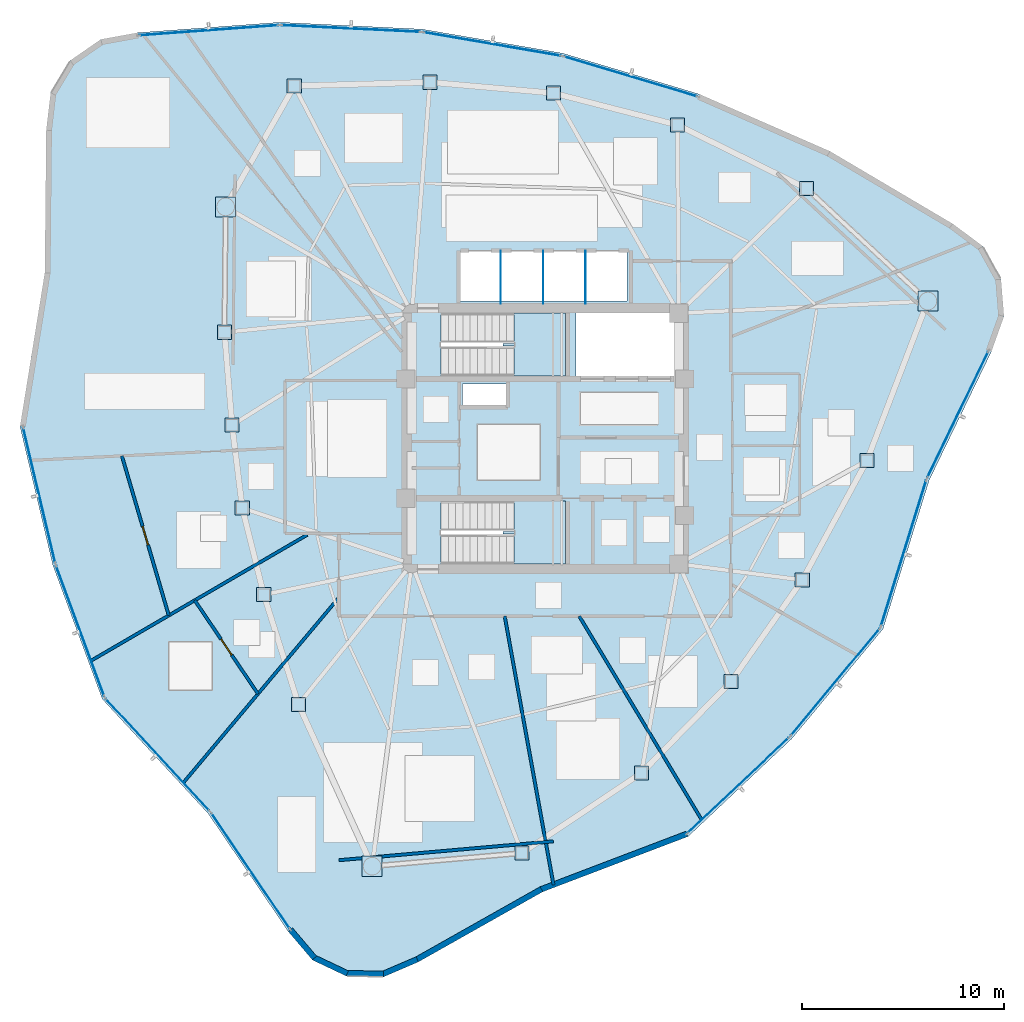
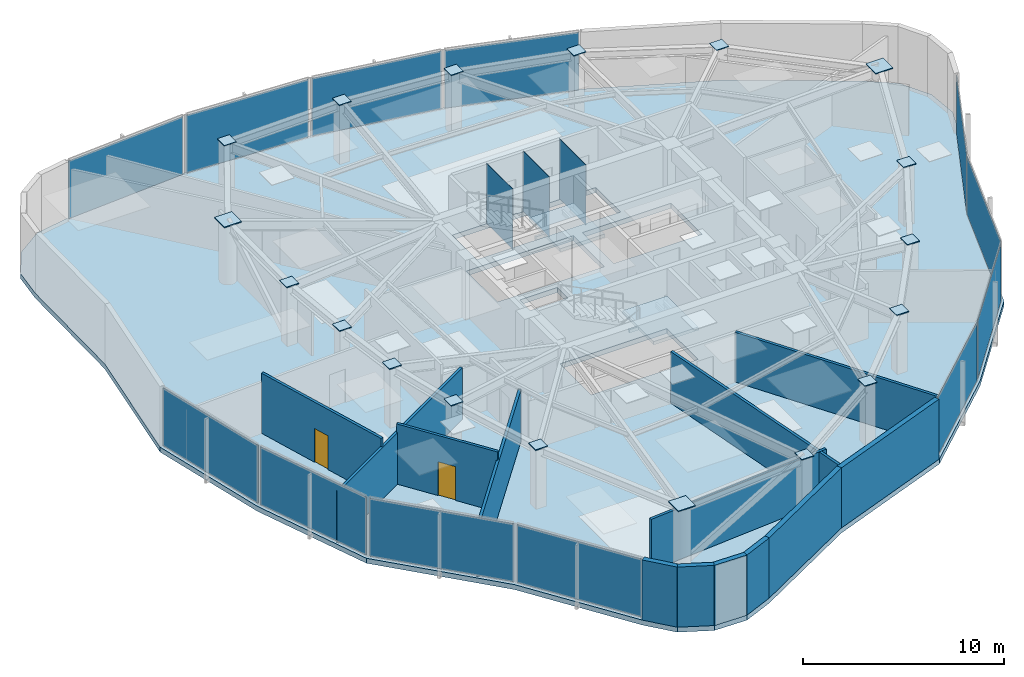
# One storey, part 7 of 13: 33 plates, 13 walls, 3 slabs, 2 doors, 2 openings, 14 elements without a shape of their own.
"""IFC4 building model written with IfcOpenShell, lengths in metres."""

from ifc_helpers import new_model, si_unit, direction, frame, frame_2d, origin, origin_2d, place, context, subcontext, project, spatial, polyline, rectangle, outline, extrude, source, transform, mapped, material, layer, layer_set, type_object, type_shapes, element, fill, aggregate, save


model = new_model("IFC4")

# Units and contexts
model_context = context("Model", 3, precision=1e-05, world=origin(), true_north=direction((0.0, 1.0)))
body_context = subcontext(model_context, "Body", "Model", "MODEL_VIEW")
ifc_project = project(units=[si_unit("LENGTHUNIT", "METRE"), si_unit("AREAUNIT", "SQUARE_METRE"), si_unit("VOLUMEUNIT", "CUBIC_METRE"), si_unit("PLANEANGLEUNIT", "RADIAN"), si_unit("MASSUNIT", "GRAM", prefix="KILO")], contexts=[model_context])

# Site, building, storey
site_placement = place(None, origin())
site = spatial("IfcSite", under=ifc_project, at=site_placement, CompositionType="ELEMENT")
building_placement = place(site_placement, origin())
building = spatial("IfcBuilding", under=site, at=building_placement, Name="Tavelor Broadcast Tower", CompositionType="ELEMENT")
storey_placement = place(building_placement, frame((0.0, 0.0, 237.949951171875)))
storey = spatial("IfcBuildingStorey", under=building, at=storey_placement, Name="L56", CompositionType="ELEMENT", Elevation=237.949951171875)

# Stair, slab
ifc_material_1 = material(Name="Concrete C40/50", Category="concrete")
stair_type = type_object("IfcStairType", Name="Reinforced Concrete Protected Dogleg Stair 1450 mm", PredefinedType="HALF_TURN_STAIR", material=ifc_material_1)
stair_1_placement = place(storey_placement, origin())
stair_1 = element("IfcStair", 1, at=stair_1_placement, inside=storey, type_object=stair_type, Name="L56 Protected Core Exit Stair ST1", PredefinedType="HALF_TURN_STAIR")
ifc_layer_1 = layer(ifc_material_1, 0.199951171875)
ifc_layer_set_1 = layer_set([ifc_layer_1], Name="Concrete C40/50")
slab_type_1 = type_object("IfcSlabType", Name="Reinforced Concrete Stair Half-Landing Slab 200 mm", PredefinedType="LANDING", material=ifc_layer_set_1)
slab_1_placement = place(storey_placement, frame((0.0, 0.0, 1.775146484375)))
slab_1 = element("IfcSlab", 2, at=slab_1_placement, type_object=slab_type_1, Name="ST1 landing 1", PredefinedType="LANDING", context=body_context, shape_type="SweptSolid", body=[
    extrude(outline(polyline([(48.445068359375, 49.590087890625), (48.445068359375, 48.094970703125), (51.0048828125, 48.094970703125), (51.0048828125, 51.205078125), (48.445068359375, 51.205078125), (48.445068359375, 49.7099609375), (47.905029296875, 49.7099609375), (47.905029296875, 49.590087890625), (48.445068359375, 49.590087890625)])), origin(), (0.0, 0.0, 1.0), 0.199951171875),
])
aggregate(stair_1, [slab_1])

stair_2_placement = place(storey_placement, origin())
stair_2 = element("IfcStair", 3, at=stair_2_placement, inside=storey, type_object=stair_type, Name="L56 Protected Core Exit Stair ST2", PredefinedType="HALF_TURN_STAIR")
slab_2_placement = place(storey_placement, frame((0.0, 0.0, 1.775146484375)))
slab_2 = element("IfcSlab", 4, at=slab_2_placement, type_object=slab_type_1, Name="ST2 landing 1", PredefinedType="LANDING", context=body_context, shape_type="SweptSolid", body=[
    extrude(outline(polyline([(48.445068359375, 40.2900390625), (48.445068359375, 38.794921875), (51.0048828125, 38.794921875), (51.0048828125, 41.905029296875), (48.445068359375, 41.905029296875), (48.445068359375, 40.409912109375), (47.905029296875, 40.409912109375), (47.905029296875, 40.2900390625), (48.445068359375, 40.2900390625)])), origin(), (0.0, 0.0, 1.0), 0.199951171875),
])
aggregate(stair_2, [slab_2])

# Slab
ifc_layer_2 = layer(ifc_material_1, 0.300048828125)
ifc_layer_set_2 = layer_set([ifc_layer_2], Name="Concrete C40/50")
slab_type_2 = type_object("IfcSlabType", Name="Tower Composite Floor Slab 300 mm", PredefinedType="FLOOR", material=ifc_layer_set_2)
slab_3_placement = place(storey_placement, frame((0.0, 0.0, -0.300048828125)))
element("IfcSlab", 5, at=slab_3_placement, inside=storey, type_object=slab_type_2, Name="L56 Structural Floor Slab", PredefinedType="FLOOR", context=body_context, shape_type="SweptSolid", body=[
    extrude(outline(polyline([(29.844482421875, 65.074951171875), (28.022216796875, 64.7421875), (26.498291015625, 63.68896484375), (25.54296875, 62.101806640625), (25.3251953125, 60.26220703125), (25.254150390625, 53.21142578125), (24.026611328125, 45.596923828125), (25.651611328125, 38.735595703125), (28.09521484375, 32.12158203125), (33.331298828125, 26.45849609375), (37.292236328125, 20.625), (38.49169921875, 19.21337890625), (40.165771484375, 18.420166015625), (42.017822265625, 18.38623046875), (43.719970703125, 19.117431640625), (49.861572265625, 22.58154296875), (57.069580078125, 25.32568359375), (62.19921875, 30.16357421875), (66.70556640625, 35.5869140625), (68.99169921875, 42.952880859375), (72.06298828125, 49.2998046875), (72.68603515625, 51.04443359375), (72.535888671875, 52.890869140625), (71.63916015625, 54.511962890625), (70.15478515625, 55.620361328125), (64.084228515625, 59.20703125), (57.6240234375, 62.032958984375), (50.86962890625, 64.05615234375), (43.919921875, 65.247314453125), (36.876953125, 65.58837890625), (29.844482421875, 65.074951171875)]), holes=[polyline([(50.99609375, 41.89599609375), (50.99609375, 38.803955078125), (44.85400390625, 38.803955078125), (44.85400390625, 41.89599609375), (50.99609375, 41.89599609375)]), polyline([(48.050048828125, 47.699951171875), (48.050048828125, 46.64990234375), (45.89990234375, 46.64990234375), (45.89990234375, 47.699951171875), (48.050048828125, 47.699951171875)]), polyline([(50.99609375, 51.196044921875), (50.99609375, 48.10400390625), (44.85400390625, 48.10400390625), (44.85400390625, 51.196044921875), (50.99609375, 51.196044921875)]), polyline([(56.60009765625, 48.10009765625), (51.52001953125, 48.10009765625), (51.52001953125, 51.199951171875), (56.60009765625, 51.199951171875), (56.60009765625, 48.10009765625)]), polyline([(54.050048828125, 51.800048828125), (45.800048828125, 51.800048828125), (45.800048828125, 54.25), (54.050048828125, 54.25), (54.050048828125, 51.800048828125)])]), origin(), (0.0, 0.0, 1.0), 0.300048828125),
])

# Plates
ifc_material_2 = material(Name="Steel S460", Category="steel")
ifc_layer_3 = layer(ifc_material_2, 0.050048828125)
ifc_layer_set_3 = layer_set([ifc_layer_3], Name="Steel S460")
plate_type_1 = type_object("IfcPlateType", Name="Tube Hollow-End Cap Plate KN05 700x700x50", PredefinedType="USERDEFINED", material=ifc_layer_set_3)
shared_shape_1 = source(origin(), body_context, "Body", "SweptSolid", [
    extrude(rectangle(XDim=0.699951171875, YDim=0.699951171875, at=origin_2d()), origin(), (0.0, 0.0, 1.0), 0.054931640625),
])
for number, where, z_axis, x_axis, name in (
    (6, (34.13720703125, 50.255859375, 3.62255859375), (0.0, 0.0, 1.0), (1.0, 0.0, 0.0), "L56 Hollow End Cap Plate KN05 #1652"),
    (7, (34.513671875, 45.66455078125, 3.62255859375), (0.0, 0.0, 1.0), (1.0, 0.0, 0.0), "L56 Hollow End Cap Plate KN05 #1653"),
    (8, (35.018798828125, 41.56396484375, 3.62255859375), (0.0, 0.0, 1.0), (1.0, 0.0, 0.0), "L56 Hollow End Cap Plate KN05 #1654"),
    (9, (36.08349609375, 37.2822265625, 3.62255859375), (0.0, 0.0, 1.0), (1.0, 0.0, 0.0), "L56 Hollow End Cap Plate KN05 #1655"),
    (10, (37.797119140625, 31.853271484375, 3.62255859375), (0.0, 0.0, 1.0), (1.0, 0.0, 0.0), "L56 Hollow End Cap Plate KN05 #1656"),
    (11, (48.843994140625, 24.5048828125, 3.62255859375), (0.0, 0.0, 1.0), (1.0, 0.0, 0.0), "L56 Hollow End Cap Plate KN05 #1658"),
    (12, (54.754150390625, 28.461669921875, 3.62255859375), (0.0, 0.0, 1.0), (1.0, 0.0, 0.0), "L56 Hollow End Cap Plate KN05 #1659"),
    (13, (59.1923828125, 32.987060546875, 3.62255859375), (0.0, 0.0, 1.0), (1.0, 0.0, 0.0), "L56 Hollow End Cap Plate KN05 #1660"),
    (14, (62.7109375, 38.009033203125, 3.62255859375), (0.0, 0.0, 1.0), (1.0, 0.0, 0.0), "L56 Hollow End Cap Plate KN05 #1661"),
    (15, (65.9072265625, 43.909423828125, 3.62255859375), (0.0, 0.0, 1.0), (1.0, 0.0, 0.0), "L56 Hollow End Cap Plate KN05 #1662"),
    (16, (62.92724609375, 57.364013671875, 3.62255859375), (0.0, 0.0, 1.0), (1.0, 0.0, 0.0), "L56 Hollow End Cap Plate KN05 #1664"),
    (17, (56.545654296875, 60.504150390625, 3.62255859375), (0.0, 0.0, 1.0), (1.0, 0.0, 0.0), "L56 Hollow End Cap Plate KN05 #1665"),
    (18, (50.4072265625, 62.0849609375, 3.62255859375), (0.0, 0.0, 1.0), (1.0, 0.0, 0.0), "L56 Hollow End Cap Plate KN05 #1666"),
    (19, (44.298828125, 62.621337890625, 3.62255859375), (0.0, 0.0, 1.0), (1.0, 0.0, 0.0), "L56 Hollow End Cap Plate KN05 #1667"),
    (20, (37.5908203125, 62.439208984375, 3.62255859375), (0.0, 0.0, 1.0), (1.0, 0.0, 0.0), "L56 Hollow End Cap Plate KN05 #1668"),
):
    element("IfcPlate", number, at=place(storey_placement, frame(where, z_axis=z_axis, x_axis=x_axis)), inside=storey, type_object=plate_type_1, Name=name, ObjectType="CAP PLATE", PredefinedType="USERDEFINED", context=body_context, shape_type="MappedRepresentation", body=[
        mapped(shared_shape_1, transform((0.0, 0.0, 0.0), scale=1.0)),
    ])
shared_shape_2 = source(origin(), body_context, "Body", "SweptSolid", [
    extrude(rectangle(XDim=0.993896484375, YDim=0.993896484375, at=origin_2d()), origin(), (0.0, 0.0, 1.0), 0.054931640625),
])
type_shapes(plate_type_1, [shared_shape_1, shared_shape_2])
for number, where, z_axis, x_axis, name in (
    (21, (34.1962890625, 56.4599609375, 3.62255859375), (0.0, 0.0, 1.0), (1.0, 0.0, 0.0), "L56 Hollow End Cap Plate KN05 #1651"),
    (22, (41.440185546875, 23.853759765625, 3.62255859375), (0.0, 0.0, 1.0), (1.0, 0.0, 0.0), "L56 Hollow End Cap Plate KN05 #1657"),
    (23, (68.919677734375, 51.799072265625, 3.62255859375), (0.0, 0.0, 1.0), (1.0, 0.0, 0.0), "L56 Hollow End Cap Plate KN05 #1663"),
):
    element("IfcPlate", number, at=place(storey_placement, frame(where, z_axis=z_axis, x_axis=x_axis)), inside=storey, type_object=plate_type_1, Name=name, ObjectType="CAP PLATE", PredefinedType="USERDEFINED", context=body_context, shape_type="MappedRepresentation", body=[
        mapped(shared_shape_2, transform((0.0, 0.0, 0.0), scale=1.0)),
    ])
ifc_material_3 = material(Name="Steel S355", Category="steel")
ifc_layer_4 = layer(ifc_material_3, 0.011962890625)
ifc_layer_set_4 = layer_set([ifc_layer_4], Name="Steel S355")
plate_type_2 = type_object("IfcPlateType", Name="Hoistway Steel Separator Screen 12 mm", PredefinedType="SHEET", material=ifc_layer_set_4)
shared_shape_3 = source(origin(), body_context, "Body", "SweptSolid", [
    extrude(rectangle(XDim=0.02001953125, YDim=2.6201171875, at=origin_2d()), origin(), (0.0, 0.0, 1.0), 3.64990234375),
])
type_shapes(plate_type_2, [shared_shape_3])
for number, where, z_axis, x_axis, name in (
    (24, (47.800048828125, 52.989990234375, 0.0), (0.0, 0.0, 1.0), (1.0, 0.0, 0.0), "L56 High-Rise Hoistway Separator Screen 1"),
    (25, (49.89990234375, 52.989990234375, 0.0), (0.0, 0.0, 1.0), (1.0, 0.0, 0.0), "L56 High-Rise Hoistway Separator Screen 2"),
    (26, (52.0, 52.989990234375, 0.0), (0.0, 0.0, 1.0), (1.0, 0.0, 0.0), "L56 High-Rise Hoistway Separator Screen 3"),
):
    element("IfcPlate", number, at=place(storey_placement, frame(where, z_axis=z_axis, x_axis=x_axis)), inside=storey, type_object=plate_type_2, Name=name, PredefinedType="SHEET", context=body_context, shape_type="MappedRepresentation", body=[
        mapped(shared_shape_3, transform((0.0, 0.0, 0.0), scale=1.0)),
    ])

# Curtain wall, plate
ifc_material_4 = material(Name="Architectural Anodized Aluminium", Category="aluminium")
ifc_layer_5 = layer(ifc_material_4, 0.199951171875)
ifc_layer_set_5 = layer_set([ifc_layer_5], Name="Architectural Anodized Aluminium")
curtain_wall_type = type_object("IfcCurtainWallType", Name="Tower High-Zone Triple-Glazed Curtain Wall CW04", PredefinedType="NOTDEFINED", material=ifc_layer_set_5)
curtain_wall_1_placement = place(storey_placement, origin())
curtain_wall_1 = element("IfcCurtainWall", 27, at=curtain_wall_1_placement, inside=storey, type_object=curtain_wall_type, Name="L56 Curtain Wall CW04 Run 601", PredefinedType="NOTDEFINED")
ifc_material_5 = material(Name="High-Altitude Triple Glazing 36 mm", Category="glass")
ifc_layer_6 = layer(ifc_material_5, 0.035888671875)
ifc_layer_set_6 = layer_set([ifc_layer_6], Name="High-Altitude Triple Glazing 36 mm")
plate_type_3 = type_object("IfcPlateType", Name="CW04 Insulated Vision Glazing Panel 36 mm", PredefinedType="CURTAIN_PANEL", material=ifc_layer_set_6)
shared_shape_4 = source(origin(), body_context, "Body", "SweptSolid", [
    extrude(rectangle(XDim=6.85986328125, YDim=0.035888671875, at=origin_2d()), origin(), (0.0, 0.0, 1.0), 3.510009765625),
])
plate_1_placement = place(storey_placement, frame((24.975830078125, 42.196533203125, 0.06982421875), z_axis=(0.0, 0.0, 1.0), x_axis=(0.230462824062, -0.973081130598, 0.0)))
plate_1 = element("IfcPlate", 28, at=plate_1_placement, type_object=plate_type_3, Name="CW04 panel 1.1", PredefinedType="CURTAIN_PANEL", context=body_context, shape_type="MappedRepresentation", body=[
    mapped(shared_shape_4, transform((0.0, 0.0, 0.0), scale=1.0)),
])
aggregate(curtain_wall_1, [plate_1])

curtain_wall_2_placement = place(storey_placement, origin())
curtain_wall_2 = element("IfcCurtainWall", 29, at=curtain_wall_2_placement, inside=storey, type_object=curtain_wall_type, Name="L56 Curtain Wall CW04 Run 602", PredefinedType="NOTDEFINED")
shared_shape_5 = source(origin(), body_context, "Body", "SweptSolid", [
    extrude(rectangle(XDim=6.8447265625, YDim=0.035888671875, at=origin_2d()), origin(), (0.0, 0.0, 1.0), 3.510009765625),
])
plate_2_placement = place(storey_placement, frame((27.00146484375, 35.486083984375, 0.06982421875), z_axis=(0.0, 0.0, 1.0), x_axis=(0.346525268588, -0.938040637835, 0.0)))
plate_2 = element("IfcPlate", 30, at=plate_2_placement, type_object=plate_type_3, Name="CW04 panel 1.1", PredefinedType="CURTAIN_PANEL", context=body_context, shape_type="MappedRepresentation", body=[
    mapped(shared_shape_5, transform((0.0, 0.0, 0.0), scale=1.0)),
])
aggregate(curtain_wall_2, [plate_2])

curtain_wall_3_placement = place(storey_placement, origin())
curtain_wall_3 = element("IfcCurtainWall", 31, at=curtain_wall_3_placement, inside=storey, type_object=curtain_wall_type, Name="L56 Curtain Wall CW04 Run 606", PredefinedType="NOTDEFINED")
plate_3_placement = place(storey_placement, frame((64.33837890625, 32.957275390625, 0.06982421875), z_axis=(0.0, 0.0, 1.0), x_axis=(0.639099444652, 0.769124112121, 0.0)))
plate_3 = element("IfcPlate", 32, at=plate_3_placement, type_object=plate_type_3, Name="CW04 panel 1.1", PredefinedType="CURTAIN_PANEL", context=body_context, shape_type="MappedRepresentation", body=[
    mapped(shared_shape_5, transform((0.0, 0.0, 0.0), scale=1.0)),
])
aggregate(curtain_wall_3, [plate_3])

curtain_wall_4_placement = place(storey_placement, origin())
curtain_wall_4 = element("IfcCurtainWall", 33, at=curtain_wall_4_placement, inside=storey, type_object=curtain_wall_type, Name="L56 Curtain Wall CW04 Run 603", PredefinedType="NOTDEFINED")
shared_shape_6 = source(origin(), body_context, "Body", "SweptSolid", [
    extrude(rectangle(XDim=7.525390625, YDim=0.035888671875, at=origin_2d()), origin(), (0.0, 0.0, 1.0), 3.510009765625),
])
plate_4_placement = place(storey_placement, frame((30.8291015625, 29.37109375, 0.06982421875), z_axis=(0.0, 0.0, 1.0), x_axis=(0.678902418643, -0.734228510724, 0.0)))
plate_4 = element("IfcPlate", 34, at=plate_4_placement, type_object=plate_type_3, Name="CW04 panel 1.1", PredefinedType="CURTAIN_PANEL", context=body_context, shape_type="MappedRepresentation", body=[
    mapped(shared_shape_6, transform((0.0, 0.0, 0.0), scale=1.0)),
])
aggregate(curtain_wall_4, [plate_4])

curtain_wall_5_placement = place(storey_placement, origin())
curtain_wall_5 = element("IfcCurtainWall", 35, at=curtain_wall_5_placement, inside=storey, type_object=curtain_wall_type, Name="L56 Curtain Wall CW04 Run 607", PredefinedType="NOTDEFINED")
plate_5_placement = place(storey_placement, frame((67.720458984375, 39.32958984375, 0.06982421875), z_axis=(0.0, 0.0, 1.0), x_axis=(0.296410704103, 0.955060571112, 0.0)))
plate_5 = element("IfcPlate", 36, at=plate_5_placement, type_object=plate_type_3, Name="CW04 panel 1.1", PredefinedType="CURTAIN_PANEL", context=body_context, shape_type="MappedRepresentation", body=[
    mapped(shared_shape_6, transform((0.0, 0.0, 0.0), scale=1.0)),
])
aggregate(curtain_wall_5, [plate_5])

curtain_wall_6_placement = place(storey_placement, origin())
curtain_wall_6 = element("IfcCurtainWall", 37, at=curtain_wall_6_placement, inside=storey, type_object=curtain_wall_type, Name="L56 Curtain Wall CW04 Run 604", PredefinedType="NOTDEFINED")
shared_shape_7 = source(origin(), body_context, "Body", "SweptSolid", [
    extrude(rectangle(XDim=6.899169921875, YDim=0.035888671875, at=origin_2d()), origin(), (0.0, 0.0, 1.0), 3.510009765625),
])
plate_6_placement = place(storey_placement, frame((35.4267578125, 23.621826171875, 0.06982421875), z_axis=(0.0, 0.0, 1.0), x_axis=(0.561748398102, -0.827308127139, 0.0)))
plate_6 = element("IfcPlate", 38, at=plate_6_placement, type_object=plate_type_3, Name="CW04 panel 1.1", PredefinedType="CURTAIN_PANEL", context=body_context, shape_type="MappedRepresentation", body=[
    mapped(shared_shape_7, transform((0.0, 0.0, 0.0), scale=1.0)),
])
aggregate(curtain_wall_6, [plate_6])

curtain_wall_7_placement = place(storey_placement, origin())
curtain_wall_7 = element("IfcCurtainWall", 39, at=curtain_wall_7_placement, inside=storey, type_object=curtain_wall_type, Name="L56 Curtain Wall CW04 Run 608", PredefinedType="NOTDEFINED")
plate_7_placement = place(storey_placement, frame((70.400634765625, 46.18603515625, 0.06982421875), z_axis=(0.0, 0.0, 1.0), x_axis=(0.435606600791, 0.900137150299, 0.0)))
plate_7 = element("IfcPlate", 40, at=plate_7_placement, type_object=plate_type_3, Name="CW04 panel 1.1", PredefinedType="CURTAIN_PANEL", context=body_context, shape_type="MappedRepresentation", body=[
    mapped(shared_shape_7, transform((0.0, 0.0, 0.0), scale=1.0)),
])
aggregate(curtain_wall_7, [plate_7])

curtain_wall_8_placement = place(storey_placement, origin())
curtain_wall_8 = element("IfcCurtainWall", 41, at=curtain_wall_8_placement, inside=storey, type_object=curtain_wall_type, Name="L56 Curtain Wall CW04 Run 605", PredefinedType="NOTDEFINED")
shared_shape_8 = source(origin(), body_context, "Body", "SweptSolid", [
    extrude(rectangle(XDim=6.859619140625, YDim=0.035888671875, at=origin_2d()), origin(), (0.0, 0.0, 1.0), 3.510009765625),
])
plate_8_placement = place(storey_placement, frame((59.5400390625, 27.847900390625, 0.06982421875), z_axis=(0.0, 0.0, 1.0), x_axis=(0.727469801864, 0.686139699606, 0.0)))
plate_8 = element("IfcPlate", 42, at=plate_8_placement, type_object=plate_type_3, Name="CW04 panel 1.1", PredefinedType="CURTAIN_PANEL", context=body_context, shape_type="MappedRepresentation", body=[
    mapped(shared_shape_8, transform((0.0, 0.0, 0.0), scale=1.0)),
])
aggregate(curtain_wall_8, [plate_8])

curtain_wall_9_placement = place(storey_placement, origin())
curtain_wall_9 = element("IfcCurtainWall", 43, at=curtain_wall_9_placement, inside=storey, type_object=curtain_wall_type, Name="L56 Curtain Wall CW04 Run 609", PredefinedType="NOTDEFINED")
shared_shape_9 = source(origin(), body_context, "Body", "SweptSolid", [
    extrude(rectangle(XDim=6.879150390625, YDim=0.035888671875, at=origin_2d()), origin(), (0.0, 0.0, 1.0), 3.510009765625),
])
plate_9_placement = place(storey_placement, frame((54.2138671875, 62.908203125, 0.06982421875), z_axis=(0.0, 0.0, 1.0), x_axis=(-0.957946580849, 0.286946594752, 0.0)))
plate_9 = element("IfcPlate", 44, at=plate_9_placement, type_object=plate_type_3, Name="CW04 panel 1.1", PredefinedType="CURTAIN_PANEL", context=body_context, shape_type="MappedRepresentation", body=[
    mapped(shared_shape_9, transform((0.0, 0.0, 0.0), scale=1.0)),
])
aggregate(curtain_wall_9, [plate_9])

curtain_wall_10_placement = place(storey_placement, origin())
curtain_wall_10 = element("IfcCurtainWall", 45, at=curtain_wall_10_placement, inside=storey, type_object=curtain_wall_type, Name="L56 Curtain Wall CW04 Run 610", PredefinedType="NOTDEFINED")
shared_shape_10 = source(origin(), body_context, "Body", "SweptSolid", [
    extrude(rectangle(XDim=6.864013671875, YDim=0.035888671875, at=origin_2d()), origin(), (0.0, 0.0, 1.0), 3.510009765625),
])
plate_10_placement = place(storey_placement, frame((47.37109375, 64.513671875, 0.06982421875), z_axis=(0.0, 0.0, 1.0), x_axis=(-0.985633122086, 0.16890041044, 0.0)))
plate_10 = element("IfcPlate", 46, at=plate_10_placement, type_object=plate_type_3, Name="CW04 panel 1.1", PredefinedType="CURTAIN_PANEL", context=body_context, shape_type="MappedRepresentation", body=[
    mapped(shared_shape_10, transform((0.0, 0.0, 0.0), scale=1.0)),
])
aggregate(curtain_wall_10, [plate_10])

curtain_wall_11_placement = place(storey_placement, origin())
curtain_wall_11 = element("IfcCurtainWall", 47, at=curtain_wall_11_placement, inside=storey, type_object=curtain_wall_type, Name="L56 Curtain Wall CW04 Run 611", PredefinedType="NOTDEFINED")
plate_11_placement = place(storey_placement, frame((40.3916015625, 65.278076171875, 0.06982421875), z_axis=(0.0, 0.0, 1.0), x_axis=(-0.998827991901, 0.048400853256, 0.0)))
plate_11 = element("IfcPlate", 48, at=plate_11_placement, type_object=plate_type_3, Name="CW04 panel 1.1", PredefinedType="CURTAIN_PANEL", context=body_context, shape_type="MappedRepresentation", body=[
    mapped(shared_shape_10, transform((0.0, 0.0, 0.0), scale=1.0)),
])
aggregate(curtain_wall_11, [plate_11])

curtain_wall_12_placement = place(storey_placement, origin())
curtain_wall_12 = element("IfcCurtainWall", 49, at=curtain_wall_12_placement, inside=storey, type_object=curtain_wall_type, Name="L56 Curtain Wall CW04 Run 612", PredefinedType="NOTDEFINED")
shared_shape_11 = source(origin(), body_context, "Body", "SweptSolid", [
    extrude(rectangle(XDim=6.880126953125, YDim=0.035888671875, at=origin_2d()), origin(), (0.0, 0.0, 1.0), 3.510009765625),
])
type_shapes(plate_type_3, [shared_shape_4, shared_shape_5, shared_shape_6, shared_shape_7, shared_shape_8, shared_shape_9, shared_shape_10, shared_shape_11])
plate_12_placement = place(storey_placement, frame((33.363037109375, 65.191650390625, 0.06982421875), z_axis=(0.0, 0.0, 1.0), x_axis=(-0.997344131461, -0.072833257795, 0.0)))
plate_12 = element("IfcPlate", 50, at=plate_12_placement, type_object=plate_type_3, Name="CW04 panel 1.1", PredefinedType="CURTAIN_PANEL", context=body_context, shape_type="MappedRepresentation", body=[
    mapped(shared_shape_11, transform((0.0, 0.0, 0.0), scale=1.0)),
])
aggregate(curtain_wall_12, [plate_12])

# Walls
ifc_material_6 = material(Name="Precast Concrete C40/50", Category="concrete")
ifc_layer_7 = layer(ifc_material_6, 0.280029296875)
ifc_layer_set_7 = layer_set([ifc_layer_7], Name="Precast Concrete C40/50")
wall_type_1 = type_object("IfcWallType", Name="Insulated Precast Terracotta Facade Wall 280 mm", PredefinedType="STANDARD", material=ifc_layer_set_7)
wall_1_placement = place(storey_placement, frame((37.4013671875, 20.712890625, 0.0), z_axis=(0.0, 0.0, 1.0), x_axis=(0.647528592685, -0.76204115483, 0.0)))
element("IfcWall", 51, at=wall_1_placement, inside=storey, type_object=wall_type_1, Name="L56 Rounded Corner Structural Cladding Pier 11", PredefinedType="STANDARD", context=body_context, shape_type="SweptSolid", body=[
    extrude(rectangle(XDim=1.83349609375, YDim=0.280029296875, at=frame_2d((0.916748046875, 0.0))), origin(), (0.0, 0.0, 1.0), 3.650146484375),
])
wall_2_placement = place(storey_placement, frame((38.565185546875, 19.33349609375, 0.0), z_axis=(0.0, 0.0, 1.0), x_axis=(0.903710559641, -0.42814392953, 0.0)))
element("IfcWall", 52, at=wall_2_placement, inside=storey, type_object=wall_type_1, Name="L56 Rounded Corner Structural Cladding Pier 12", PredefinedType="STANDARD", context=body_context, shape_type="SweptSolid", body=[
    extrude(rectangle(XDim=1.822509765625, YDim=0.280029296875, at=frame_2d((0.9111328125, 0.0))), origin(), (0.0, 0.0, 1.0), 3.650146484375),
])
wall_3_placement = place(storey_placement, frame((40.18359375, 18.559814453125, 0.0), z_axis=(0.0, 0.0, 1.0), x_axis=(0.999833953719, -0.018222650456, 0.0)))
element("IfcWall", 53, at=wall_3_placement, inside=storey, type_object=wall_type_1, Name="L56 Rounded Corner Structural Cladding Pier 13", PredefinedType="STANDARD", context=body_context, shape_type="SweptSolid", body=[
    extrude(rectangle(XDim=1.822021484375, YDim=0.280029296875, at=frame_2d((0.9111328125, 0.0))), origin(), (0.0, 0.0, 1.0), 3.650146484375),
])
wall_4_placement = place(storey_placement, frame((41.9765625, 18.52099609375, 0.0), z_axis=(0.0, 0.0, 1.0), x_axis=(0.91883671621, 0.394637921322, 0.0)))
element("IfcWall", 54, at=wall_4_placement, inside=storey, type_object=wall_type_1, Name="L56 Rounded Corner Structural Cladding Pier 14", PredefinedType="STANDARD", context=body_context, shape_type="SweptSolid", body=[
    extrude(rectangle(XDim=1.8447265625, YDim=0.280029296875, at=frame_2d((0.92236328125, 0.0))), origin(), (0.0, 0.0, 1.0), 3.650146484375),
])
wall_5_placement = place(storey_placement, frame((43.644775390625, 19.23583984375, 0.0), z_axis=(0.0, 0.0, 1.0), x_axis=(0.871001534269, 0.491280294029, 0.0)))
element("IfcWall", 55, at=wall_5_placement, inside=storey, type_object=wall_type_1, Name="L56 Rounded Corner Structural Cladding Pier 15", PredefinedType="STANDARD", context=body_context, shape_type="SweptSolid", body=[
    extrude(rectangle(XDim=7.083984375, YDim=0.280029296875, at=frame_2d((3.5419921875, 0.0))), origin(), (0.0, 0.0, 1.0), 3.650146484375),
])
wall_6_placement = place(storey_placement, frame((49.7880859375, 22.703369140625, 0.0), z_axis=(0.0, 0.0, 1.0), x_axis=(0.934566925924, 0.355787381688, 0.0)))
element("IfcWall", 56, at=wall_6_placement, inside=storey, type_object=wall_type_1, Name="L56 Rounded Corner Structural Cladding Pier 16", PredefinedType="STANDARD", context=body_context, shape_type="SweptSolid", body=[
    extrude(rectangle(XDim=7.71435546875, YDim=0.280029296875, at=frame_2d((3.857177734375, 0.0))), origin(), (0.0, 0.0, 1.0), 3.650146484375),
])
ifc_material_7 = material(Name="Gypsum Acoustic Plasterboard 150 mm", Category="gypsum")
ifc_layer_8 = layer(ifc_material_7, 0.14990234375)
ifc_layer_set_8 = layer_set([ifc_layer_8], Name="Gypsum Acoustic Plasterboard 150 mm")
wall_type_2 = type_object("IfcWallType", Name="Interior Acoustic Partition Wall 150 mm", PredefinedType="PARTITIONING", material=ifc_layer_set_8)
wall_7_placement = place(storey_placement, frame((39.807861328125, 24.15185546875, 0.0), z_axis=(0.0, 0.0, 1.0), x_axis=(0.996153584085, 0.087624408208, 0.0)))
element("IfcWall", 57, at=wall_7_placement, inside=storey, type_object=wall_type_2, Name="L56 Corner Tube Brace Furring Wall 2", PredefinedType="PARTITIONING", context=body_context, shape_type="SweptSolid", body=[
    extrude(rectangle(XDim=10.63232421875, YDim=0.14990234375, at=frame_2d((5.316162109375, 0.0))), origin(), (0.0, 0.0, 1.0), 3.135009765625),
])
wall_8_placement = place(storey_placement, frame((38.226806640625, 40.239990234375, 0.0), z_axis=(0.0, 0.0, 1.0), x_axis=(-0.864126503229, -0.503274662999, 0.0)))
element("IfcWall", 58, at=wall_8_placement, inside=storey, type_object=wall_type_2, Name="L56 Radial Compartment Wall 05", PredefinedType="PARTITIONING", context=body_context, shape_type="SweptSolid", body=[
    extrude(rectangle(XDim=12.373046875, YDim=0.14990234375, at=frame_2d((6.1865234375, 0.0))), origin(), (0.0, 0.0, 1.0), 3.135009765625),
])
wall_9_placement = place(storey_placement, frame((39.800048828125, 37.143798828125, 0.0), z_axis=(0.0, 0.0, 1.0), x_axis=(-0.64325714608, -0.765650209963, 0.0)))
element("IfcWall", 59, at=wall_9_placement, inside=storey, type_object=wall_type_2, Name="L56 Radial Compartment Wall 06", PredefinedType="PARTITIONING", context=body_context, shape_type="SweptSolid", body=[
    extrude(rectangle(XDim=11.96826171875, YDim=0.14990234375, at=frame_2d((5.984130859375, 0.0))), origin(), (0.0, 0.0, 1.0), 3.135009765625),
])
wall_10_placement = place(storey_placement, frame((47.9951171875, 36.219970703125, 0.0), z_axis=(0.0, 0.0, 1.0), x_axis=(0.178745476332, -0.983895347428, 0.0)))
element("IfcWall", 60, at=wall_10_placement, inside=storey, type_object=wall_type_2, Name="L56 Radial Compartment Wall 07", PredefinedType="PARTITIONING", context=body_context, shape_type="SweptSolid", body=[
    extrude(rectangle(XDim=13.50830078125, YDim=0.14990234375, at=frame_2d((6.754150390625, 0.0))), origin(), (0.0, 0.0, 1.0), 3.135009765625),
])
wall_11_placement = place(storey_placement, frame((51.680419921875, 36.219970703125, 0.0), z_axis=(0.0, 0.0, 1.0), x_axis=(0.515395849716, -0.856952226262, 0.0)))
element("IfcWall", 61, at=wall_11_placement, inside=storey, type_object=wall_type_2, Name="L56 Radial Compartment Wall 08", PredefinedType="PARTITIONING", context=body_context, shape_type="SweptSolid", body=[
    extrude(rectangle(XDim=11.76318359375, YDim=0.14990234375, at=frame_2d((5.881591796875, 0.0))), origin(), (0.0, 0.0, 1.0), 3.025146484375),
])

# Wall, opening, door
wall_12_placement = place(storey_placement, frame((29.06494140625, 44.146240234375, 0.0), z_axis=(0.0, 0.0, 1.0), x_axis=(0.281946161772, -0.95943022772, 0.0)))
wall_12 = element("IfcWall", 62, at=wall_12_placement, inside=storey, type_object=wall_type_2, Name="L56 Suite Chord Partition Wall 01", PredefinedType="PARTITIONING", context=body_context, shape_type="SweptSolid", body=[
    extrude(rectangle(XDim=8.225341796875, YDim=0.14990234375, at=frame_2d((4.11279296875, 0.0))), origin(), (0.0, 0.0, 1.0), 3.650146484375),
])
opening_1_placement = place(wall_12_placement, frame((3.6376953125, 0.0, 0.0)))
opening_1 = element("IfcOpeningElement", 63, at=opening_1_placement, cuts=wall_12, Name="Opening DR23", PredefinedType="OPENING", context=body_context, shape_type="SweptSolid", body=[
    extrude(rectangle(XDim=0.949951171875, YDim=2.050048828125, at=frame_2d((0.47509765625, 1.02490234375))), frame((0.0, 0.0849609375, 0.0), z_axis=(0.0, -1.0, 0.0), x_axis=(1.0, 0.0, 0.0)), (0.0, 0.0, 1.0), 0.169921875),
])
ifc_material_8 = material(Name="Timber Solid Core Hardwood", Category="wood")
door_type = type_object("IfcDoorType", Name="Editorial Room Acoustic Door 950x2050", OperationType="NOTDEFINED", PredefinedType="DOOR", material=ifc_material_8)
door_1_placement = place(opening_1_placement, origin())
door_1 = element("IfcDoor", 64, at=door_1_placement, inside=storey, type_object=door_type, Name="L56 Outer Suite Partition Door 1", OperationType="SINGLE_SWING_RIGHT", OverallHeight=2.050048828125, OverallWidth=0.949951171875, PredefinedType="DOOR", context=body_context, shape_type="SweptSolid", body=[
    extrude(rectangle(XDim=0.949951171875, YDim=2.050048828125, at=frame_2d((0.47509765625, 1.02490234375))), frame((0.0, 0.02490234375, 0.0), z_axis=(0.0, -1.0, 0.0), x_axis=(1.0, 0.0, 0.0)), (0.0, 0.0, 1.0), 0.050048828125),
])
fill(opening_1, door_1)

wall_13_placement = place(storey_placement, frame((32.6669921875, 37.001953125, 0.0), z_axis=(0.0, 0.0, 1.0), x_axis=(0.560589941765, -0.828093543745, 0.0)))
wall_13 = element("IfcWall", 65, at=wall_13_placement, inside=storey, type_object=wall_type_2, Name="L56 Suite Chord Partition Wall 02", PredefinedType="PARTITIONING", context=body_context, shape_type="SweptSolid", body=[
    extrude(rectangle(XDim=5.582763671875, YDim=0.14990234375, at=frame_2d((2.79150390625, 0.0))), origin(), (0.0, 0.0, 1.0), 3.650146484375),
])
opening_2_placement = place(wall_13_placement, frame((2.31640625, 0.0, 0.0)))
opening_2 = element("IfcOpeningElement", 66, at=opening_2_placement, cuts=wall_13, Name="Opening DR23", PredefinedType="OPENING", context=body_context, shape_type="SweptSolid", body=[
    extrude(rectangle(XDim=0.949951171875, YDim=2.050048828125, at=frame_2d((0.47509765625, 1.02490234375))), frame((0.0, 0.0849609375, 0.0), z_axis=(0.0, -1.0, 0.0), x_axis=(1.0, 0.0, 0.0)), (0.0, 0.0, 1.0), 0.169921875),
])
door_2_placement = place(opening_2_placement, origin())
door_2 = element("IfcDoor", 67, at=door_2_placement, inside=storey, type_object=door_type, Name="L56 Outer Suite Partition Door 2", OperationType="SINGLE_SWING_LEFT", OverallHeight=2.050048828125, OverallWidth=0.949951171875, PredefinedType="DOOR", context=body_context, shape_type="SweptSolid", body=[
    extrude(rectangle(XDim=0.949951171875, YDim=2.050048828125, at=frame_2d((0.47509765625, 1.02490234375))), frame((0.0, 0.02490234375, 0.0), z_axis=(0.0, -1.0, 0.0), x_axis=(1.0, 0.0, 0.0)), (0.0, 0.0, 1.0), 0.050048828125),
])
fill(opening_2, door_2)

save(model, "model.ifc")
